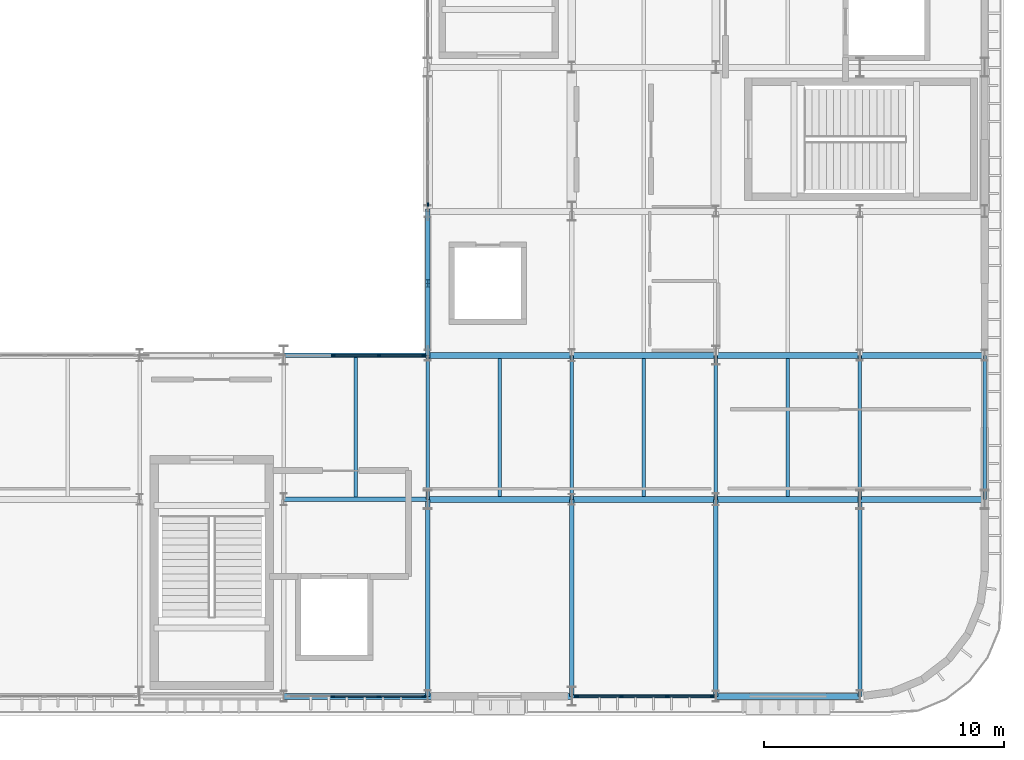
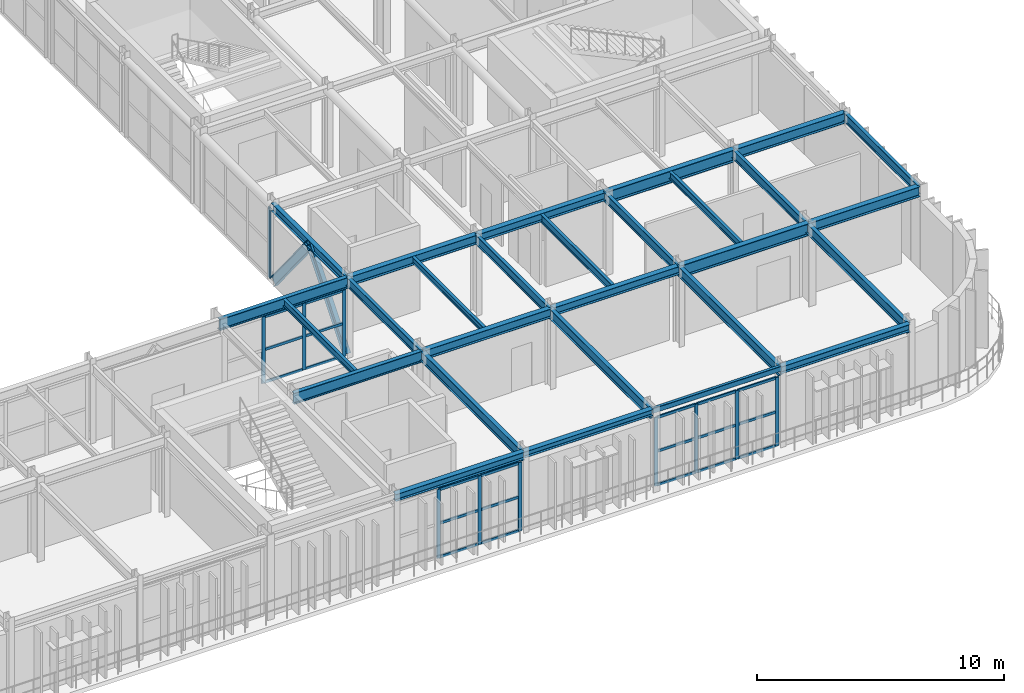
# One storey, part 44 of 83: 34 members, 28 beams, 4 elements without a shape of their own.
"""IFC4 building model written with IfcOpenShell, lengths in metres."""

import ifcopenshell
import ifcopenshell.guid

model = None  # the IFC model being written
_history = None  # IfcOwnerHistory: only IFC2X3 demands one
_inside = {}  # id of a spatial element -> (the spatial element, [elements in it])
_under = {}  # id of a project, library or spatial element -> (it, [spatial elements below it])
_declared = {}  # id of a project -> (the project, [libraries it declares])
_typed = {}  # id of a type object -> (the type object, [elements of that type])
_made_of = {}  # id of a material, layer set ... -> (it, [elements and type objects made of it])


def new_model(schema):
    """Start an empty IFC model of exactly this schema.

    Asked for "IFC4X3", IfcOpenShell would pick the latest addendum, in which some entities
    have other attributes; the version numbers below select the first issue.
    IFC2X3 requires an IfcOwnerHistory on every rooted entity: one is made here for all.
    """
    global model, _history
    if schema == "IFC4X3":
        model = ifcopenshell.file(schema_version=(4, 3, 0, 0))
    else:
        model = ifcopenshell.file(schema=schema)
    _inside.clear()
    _under.clear()
    _declared.clear()
    _typed.clear()
    _made_of.clear()
    _history = None
    if model.schema == "IFC2X3":
        org = make("IfcOrganization", Name="unknown")
        user = make(
            "IfcPersonAndOrganization",
            ThePerson=make("IfcPerson", FamilyName="unknown"),
            TheOrganization=org,
        )
        app = make(
            "IfcApplication",
            ApplicationDeveloper=org,
            Version="unknown",
            ApplicationFullName="unknown",
            ApplicationIdentifier="unknown",
        )
        _history = make(
            "IfcOwnerHistory",
            OwningUser=user,
            OwningApplication=app,
            ChangeAction="ADDED",
            CreationDate=0,
        )
    return model


def make(cls, **values):
    """One entity of the class cls with the attributes given. An attribute that is None is left unset."""
    return model.create_entity(
        cls, **{name: value for name, value in values.items() if value is not None}
    )


def rooted(cls, **values):
    """An entity with a GlobalId (a new one), such as an element, a storey or a relation."""
    return make(cls, GlobalId=ifcopenshell.guid.new(), OwnerHistory=_history, **values)


def si_unit(unit_type, name, prefix=None):
    """IfcSIUnit, for example si_unit("LENGTHUNIT", "METRE", prefix="MILLI")."""
    return make("IfcSIUnit", UnitType=unit_type, Prefix=prefix, Name=name)


def assignment(units):
    """IfcUnitAssignment: the units of a project."""
    return None if units is None else make("IfcUnitAssignment", Units=units)


def point(xyz):
    """IfcCartesianPoint."""
    return None if xyz is None else make("IfcCartesianPoint", Coordinates=xyz)


def direction(xyz):
    """IfcDirection."""
    return None if xyz is None else make("IfcDirection", DirectionRatios=xyz)


def frame(location, z_axis=None, x_axis=None):
    """IfcAxis2Placement3D, a coordinate frame: its origin and axes. An axis left out is left unset."""
    return make(
        "IfcAxis2Placement3D",
        Location=point(location),
        Axis=direction(z_axis),
        RefDirection=direction(x_axis),
    )


def frame_2d(location, x_axis=None):
    """IfcAxis2Placement2D, a coordinate frame in the plane: its origin and x axis."""
    return make(
        "IfcAxis2Placement2D", Location=point(location), RefDirection=direction(x_axis)
    )


def origin():
    """The frame at (0, 0, 0) with its axes left unset."""
    return frame((0.0, 0.0, 0.0))


def origin_2d():
    """The frame at (0, 0) in the plane with its x axis left unset."""
    return frame_2d((0.0, 0.0))


def place(relative_to, where):
    """IfcLocalPlacement: puts the frame where relative to a parent placement (None: the world)."""
    return make(
        "IfcLocalPlacement", PlacementRelTo=relative_to, RelativePlacement=where
    )


def context(
    kind, dimensions, precision=None, world=None, true_north=None, identifier=None
):
    """IfcGeometricRepresentationContext, for example the 3D "Model" context."""
    return make(
        "IfcGeometricRepresentationContext",
        ContextIdentifier=identifier,
        ContextType=kind,
        CoordinateSpaceDimension=dimensions,
        Precision=precision,
        WorldCoordinateSystem=world,
        TrueNorth=true_north,
    )


def subcontext(parent, identifier, kind, view, scale=None):
    """IfcGeometricRepresentationSubContext, for example "Body" below "Model"."""
    return make(
        "IfcGeometricRepresentationSubContext",
        ContextIdentifier=identifier,
        ContextType=kind,
        ParentContext=parent,
        TargetScale=scale,
        TargetView=view,
    )


def project(units=None, contexts=None):
    """IfcProject with its units and contexts."""
    return rooted(
        "IfcProject",
        Name="project",
        RepresentationContexts=contexts,
        UnitsInContext=assignment(units),
    )


def spatial(cls, under=None, at=None, **own):
    """A site, building, storey or space (cls), placed at a placement, below another one or the project."""
    s = rooted(cls, ObjectPlacement=at, **own)
    if under is not None:
        _under.setdefault(under.id(), (under, []))[1].append(s)
    return s


def profile(cls, at=None, kind="AREA", **sizes):
    """A parametric profile (cls). Its sizes go by their IFC names, for example OverallWidth=200.0."""
    return make(cls, ProfileType=kind, Position=at, **sizes)


def rectangle(**sizes):
    """IfcRectangleProfileDef."""
    return profile("IfcRectangleProfileDef", **sizes)


def hollow_rectangle(**sizes):
    """IfcRectangleHollowProfileDef."""
    return profile("IfcRectangleHollowProfileDef", **sizes)


def i_section(**sizes):
    """IfcIShapeProfileDef."""
    return profile("IfcIShapeProfileDef", **sizes)


def extrude(swept, where, along, depth):
    """IfcExtrudedAreaSolid: the profile swept, set in the frame where, extruded along a direction by depth."""
    return make(
        "IfcExtrudedAreaSolid",
        SweptArea=swept,
        Position=where,
        ExtrudedDirection=direction(along),
        Depth=depth,
    )


def shape(context_of_items, identifier, shape_type, items):
    """IfcShapeRepresentation: the items that make up one representation, for example the "Body"."""
    return make(
        "IfcShapeRepresentation",
        ContextOfItems=context_of_items,
        RepresentationIdentifier=identifier,
        RepresentationType=shape_type,
        Items=items,
    )


def material(Name=None, Category=None):
    """IfcMaterial."""
    return make("IfcMaterial", Name=Name, Category=Category)


def material_profile(
    of_material, cross_section, Name=None, Category=None, Priority=None
):
    """IfcMaterialProfile: a cross section and its material."""
    return make(
        "IfcMaterialProfile",
        Name=Name,
        Material=of_material,
        Profile=cross_section,
        Priority=Priority,
        Category=Category,
    )


def profile_set(profiles, Name=None, composite=None):
    """IfcMaterialProfileSet."""
    return make(
        "IfcMaterialProfileSet",
        Name=Name,
        MaterialProfiles=profiles,
        CompositeProfile=composite,
    )


def made_of(thing, what):
    """Note that an element or type object is made of a material, layer set ...; save() writes the relation."""
    if what is not None:
        _made_of.setdefault(what.id(), (what, []))[1].append(thing)
    return thing


def type_object(cls, material=None, **own):
    """A type object (cls), such as IfcWallType, which elements share."""
    return made_of(rooted(cls, **own), material)


def element(
    cls,
    number,
    at=None,
    inside=None,
    cuts=None,
    type_object=None,
    material=None,
    context=None,
    identifier="Body",
    shape_type=None,
    held_by="IfcProductDefinitionShape",
    body=None,
    shapes=None,
    **own,
):
    """One element of the class cls, such as IfcWall. Its Tag is "e" and its number.

    at: its placement. inside: the storey or other place that contains it. cuts: it is an
    opening in that element (IfcRelVoidsElement). A single representation is given by context,
    identifier, shape_type and body (its items); several are given by shapes. held_by: the class
    of the entity that holds the representations. save() writes the other relations.
    """
    e = rooted(cls, Tag="e%d" % number, ObjectPlacement=at, **own)
    if body is not None:
        shapes = [shape(context, identifier, shape_type, body)]
    if shapes is not None:
        e.Representation = make(held_by, Representations=shapes)
    if inside is not None:
        _inside.setdefault(inside.id(), (inside, []))[1].append(e)
    if cuts is not None:
        rooted(
            "IfcRelVoidsElement", RelatingBuildingElement=cuts, RelatedOpeningElement=e
        )
    if type_object is not None:
        _typed.setdefault(type_object.id(), (type_object, []))[1].append(e)
    return made_of(e, material)


def aggregate(whole, parts):
    """IfcRelAggregates: a whole, such as a stair, and the parts it consists of."""
    return rooted("IfcRelAggregates", RelatingObject=whole, RelatedObjects=parts)


def save(model, path):
    """Write the relations noted so far, then the file.

    IfcRelAggregates (storeys below a building ...), IfcRelContainedInSpatialStructure (elements
    in a storey), IfcRelDefinesByType, IfcRelAssociatesMaterial and IfcRelDeclares: one each for
    every whole, place, type object, material and project.
    """
    for whole, parts in _under.values():
        aggregate(whole, parts)
    for where, things in _inside.values():
        rooted(
            "IfcRelContainedInSpatialStructure",
            RelatedElements=things,
            RelatingStructure=where,
        )
    for kind, things in _typed.values():
        rooted("IfcRelDefinesByType", RelatedObjects=things, RelatingType=kind)
    for what, things in _made_of.values():
        rooted("IfcRelAssociatesMaterial", RelatedObjects=things, RelatingMaterial=what)
    for by, libraries in _declared.values():
        rooted("IfcRelDeclares", RelatingContext=by, RelatedDefinitions=libraries)
    model.write(path)


model = new_model("IFC4")

# Units and contexts
model_context = context("Model", 3, precision=1e-05, world=origin(), true_north=direction((0.0, 1.0)))
body_context = subcontext(model_context, "Body", "Model", "MODEL_VIEW")
ifc_project = project(units=[si_unit("LENGTHUNIT", "METRE"), si_unit("AREAUNIT", "SQUARE_METRE"), si_unit("VOLUMEUNIT", "CUBIC_METRE"), si_unit("PLANEANGLEUNIT", "RADIAN"), si_unit("MASSUNIT", "GRAM", prefix="KILO")], contexts=[model_context])

# Site, building, storey
site_placement = place(None, origin())
site = spatial("IfcSite", under=ifc_project, at=site_placement, CompositionType="ELEMENT")
building_placement = place(site_placement, origin())
building = spatial("IfcBuilding", under=site, at=building_placement, Name="Varnakota Square Police Headquarters", CompositionType="ELEMENT")
storey_placement = place(building_placement, frame((0.0, 0.0, 18.0)))
storey = spatial("IfcBuildingStorey", under=building, at=storey_placement, Name="L04", CompositionType="ELEMENT", Elevation=18.0)

# Beams
ifc_material_1 = material(Name="Steel IS 2062 Grade 350", Category="steel")
ifc_material_profile_1 = material_profile(ifc_material_1, hollow_rectangle(XDim=0.14990234375, YDim=0.25, WallThickness=0.010009765625, InnerFilletRadius=0.010009765625, OuterFilletRadius=0.02001953125, at=origin_2d()), Name="RHS 250x150x10")
ifc_profile_set_1 = profile_set([ifc_material_profile_1], Name="Steel IS 2062 Grade 350")
beam_type_1 = type_object("IfcBeamType", Name="BM-CBEAM-RHS250", PredefinedType="BEAM", material=ifc_profile_set_1)
beam_1_placement = place(storey_placement, frame((144.0, 0.800048828125, 3.77490234375), z_axis=(1.0, 0.0, 0.0), x_axis=(0.0, 1.0, 0.0)))
element("IfcBeam", 1, at=beam_1_placement, inside=storey, type_object=beam_type_1, Name="BMG-L04-2848", PredefinedType="BEAM", context=body_context, shape_type="SweptSolid", body=[
    extrude(hollow_rectangle(XDim=0.14990234375, YDim=0.25, WallThickness=0.010009765625, InnerFilletRadius=0.010009765625, OuterFilletRadius=0.02001953125, at=origin_2d()), origin(), (0.0, 0.0, 1.0), 6.0),
])
ifc_material_profile_2 = material_profile(ifc_material_1, i_section(OverallWidth=0.25, OverallDepth=0.300048828125, WebThickness=0.009521484375, FlangeThickness=0.010498046875, FilletRadius=0.011962890625, at=origin_2d()), Name="ISHB 300")
ifc_profile_set_2 = profile_set([ifc_material_profile_2], Name="Steel IS 2062 Grade 350")
beam_type_2 = type_object("IfcBeamType", Name="BM-ISHB300", PredefinedType="BEAM", material=ifc_profile_set_2)
beam_2_placement = place(storey_placement, frame((138.0, 0.800048828125, 3.75), z_axis=(1.0, 0.0, 0.0), x_axis=(0.0, 1.0, 0.0)))
element("IfcBeam", 2, at=beam_2_placement, inside=storey, type_object=beam_type_2, Name="BMG-L04-2847", PredefinedType="BEAM", context=body_context, shape_type="SweptSolid", body=[
    extrude(i_section(OverallWidth=0.25, OverallDepth=0.300048828125, WebThickness=0.009521484375, FlangeThickness=0.010498046875, FilletRadius=0.011962890625, at=origin_2d()), origin(), (0.0, 0.0, 1.0), 6.0),
])
ifc_material_profile_3 = material_profile(ifc_material_1, i_section(OverallWidth=0.25, OverallDepth=0.35009765625, WebThickness=0.010009765625, FlangeThickness=0.01171875, FilletRadius=0.011962890625, at=origin_2d()), Name="ISHB 350")
ifc_profile_set_3 = profile_set([ifc_material_profile_3], Name="Steel IS 2062 Grade 350")
beam_type_3 = type_object("IfcBeamType", Name="BM-ISHB350", PredefinedType="BEAM", material=ifc_profile_set_3)
for number, where, z_axis, x_axis, name in (
    (3, (132.0, 0.800048828125, 3.72509765625), (1.0, 0.0, 0.0), (0.0, 1.0, 0.0), "BMG-L04-2846"),
    (4, (150.0, 0.800048828125, 3.72509765625), (1.0, 0.0, 0.0), (0.0, 1.0, 0.0), "BMG-L04-2849"),
):
    element("IfcBeam", number, at=place(storey_placement, frame(where, z_axis=z_axis, x_axis=x_axis)), inside=storey, type_object=beam_type_3, Name=name, PredefinedType="BEAM", context=body_context, shape_type="SweptSolid", body=[
        extrude(i_section(OverallWidth=0.25, OverallDepth=0.35009765625, WebThickness=0.010009765625, FlangeThickness=0.01171875, FilletRadius=0.011962890625, at=origin_2d()), origin(), (0.0, 0.0, 1.0), 6.0),
    ])
ifc_material_profile_4 = material_profile(ifc_material_1, i_section(OverallWidth=0.25, OverallDepth=0.39990234375, WebThickness=0.010498046875, FlangeThickness=0.0126953125, FilletRadius=0.013916015625, at=origin_2d()), Name="ISHB 400")
ifc_profile_set_4 = profile_set([ifc_material_profile_4], Name="Steel IS 2062 Grade 350")
beam_type_4 = type_object("IfcBeamType", Name="BM-ISHB400", PredefinedType="BEAM", material=ifc_profile_set_4)
for number, where, z_axis, x_axis, name in (
    (5, (144.0, 9.0, 3.699951171875), (1.0, 0.0, 0.0), (0.0, 1.0, 0.0), "BMG-L04-2855"),
    (6, (144.0, 15.0, 3.699951171875), (1.0, 0.0, 0.0), (0.0, 1.0, 0.0), "BMG-L04-2864"),
):
    element("IfcBeam", number, at=place(storey_placement, frame(where, z_axis=z_axis, x_axis=x_axis)), inside=storey, type_object=beam_type_4, Name=name, PredefinedType="BEAM", context=body_context, shape_type="SweptSolid", body=[
        extrude(i_section(OverallWidth=0.25, OverallDepth=0.39990234375, WebThickness=0.010498046875, FlangeThickness=0.0126953125, FilletRadius=0.013916015625, at=origin_2d()), origin(), (0.0, 0.0, 1.0), 6.0),
    ])
ifc_material_profile_5 = material_profile(ifc_material_1, i_section(OverallWidth=0.25, OverallDepth=0.449951171875, WebThickness=0.01123046875, FlangeThickness=0.013671875, FilletRadius=0.014892578125, at=origin_2d()), Name="ISHB 450")
ifc_profile_set_5 = profile_set([ifc_material_profile_5], Name="Steel IS 2062 Grade 350")
beam_type_5 = type_object("IfcBeamType", Name="BM-ISHB450", PredefinedType="BEAM", material=ifc_profile_set_5)
for number, where, z_axis, x_axis, name in (
    (7, (138.0, 9.0, 3.675048828125), (1.0, 0.0, 0.0), (0.0, 1.0, 0.0), "BMG-L04-2854"),
    (8, (138.0, 15.0, 3.675048828125), (1.0, 0.0, 0.0), (0.0, 1.0, 0.0), "BMG-L04-2863"),
):
    element("IfcBeam", number, at=place(storey_placement, frame(where, z_axis=z_axis, x_axis=x_axis)), inside=storey, type_object=beam_type_5, Name=name, PredefinedType="BEAM", context=body_context, shape_type="SweptSolid", body=[
        extrude(i_section(OverallWidth=0.25, OverallDepth=0.449951171875, WebThickness=0.01123046875, FlangeThickness=0.013671875, FilletRadius=0.014892578125, at=origin_2d()), origin(), (0.0, 0.0, 1.0), 6.0),
    ])
ifc_material_profile_6 = material_profile(ifc_material_1, i_section(OverallWidth=0.139892578125, OverallDepth=0.300048828125, WebThickness=0.0078125, FlangeThickness=0.01318359375, FilletRadius=0.013916015625, at=origin_2d()), Name="ISMB 300")
ifc_profile_set_6 = profile_set([ifc_material_profile_6], Name="Steel IS 2062 Grade 350")
beam_type_6 = type_object("IfcBeamType", Name="BM-ISMB300", PredefinedType="JOIST", material=ifc_profile_set_6)
beam_3_placement = place(storey_placement, frame((141.0, 9.123046875, 3.75), z_axis=(0.0, 1.0, 0.0), x_axis=(-1.0, 0.0, 0.0)))
element("IfcBeam", 9, at=beam_3_placement, inside=storey, type_object=beam_type_6, Name="BMG-L04-3059", PredefinedType="JOIST", context=body_context, shape_type="SweptSolid", body=[
    extrude(i_section(OverallWidth=0.139892578125, OverallDepth=0.300048828125, WebThickness=0.0078125, FlangeThickness=0.01318359375, FilletRadius=0.013916015625, at=origin_2d()), origin(), (0.0, 0.0, 1.0), 5.75390625),
])
ifc_material_profile_7 = material_profile(ifc_material_1, i_section(OverallWidth=0.139892578125, OverallDepth=0.35009765625, WebThickness=0.008056640625, FlangeThickness=0.01416015625, FilletRadius=0.013916015625, at=origin_2d()), Name="ISMB 350")
ifc_profile_set_7 = profile_set([ifc_material_profile_7], Name="Steel IS 2062 Grade 350")
beam_type_7 = type_object("IfcBeamType", Name="BM-ISMB350", PredefinedType="JOIST", material=ifc_profile_set_7)
beam_4_placement = place(storey_placement, frame((135.0, 9.093017578125, 3.72509765625), z_axis=(0.0, 1.0, 0.0), x_axis=(-1.0, 0.0, 0.0)))
element("IfcBeam", 10, at=beam_4_placement, inside=storey, type_object=beam_type_7, Name="BMG-L04-3058", PredefinedType="JOIST", context=body_context, shape_type="SweptSolid", body=[
    extrude(i_section(OverallWidth=0.139892578125, OverallDepth=0.35009765625, WebThickness=0.008056640625, FlangeThickness=0.01416015625, FilletRadius=0.013916015625, at=origin_2d()), origin(), (0.0, 0.0, 1.0), 5.81396484375),
])
beam_5_placement = place(storey_placement, frame((153.0, 9.123046875, 3.72509765625), z_axis=(0.0, 1.0, 0.0), x_axis=(-1.0, 0.0, 0.0)))
element("IfcBeam", 11, at=beam_5_placement, inside=storey, type_object=beam_type_7, Name="BMG-L04-3068", PredefinedType="JOIST", context=body_context, shape_type="SweptSolid", body=[
    extrude(i_section(OverallWidth=0.139892578125, OverallDepth=0.35009765625, WebThickness=0.008056640625, FlangeThickness=0.01416015625, FilletRadius=0.013916015625, at=origin_2d()), origin(), (0.0, 0.0, 1.0), 5.75390625),
])
ifc_material_profile_8 = material_profile(ifc_material_1, i_section(OverallWidth=0.139892578125, OverallDepth=0.39990234375, WebThickness=0.0087890625, FlangeThickness=0.01611328125, FilletRadius=0.013916015625, at=origin_2d()), Name="ISMB 400")
ifc_profile_set_8 = profile_set([ifc_material_profile_8], Name="Steel IS 2062 Grade 350")
beam_type_8 = type_object("IfcBeamType", Name="BM-ISMB400", PredefinedType="JOIST", material=ifc_profile_set_8)
beam_6_placement = place(storey_placement, frame((147.0, 9.123046875, 3.699951171875), z_axis=(0.0, 1.0, 0.0), x_axis=(-1.0, 0.0, 0.0)))
element("IfcBeam", 12, at=beam_6_placement, inside=storey, type_object=beam_type_8, Name="BMG-L04-3062", PredefinedType="JOIST", context=body_context, shape_type="SweptSolid", body=[
    extrude(i_section(OverallWidth=0.139892578125, OverallDepth=0.39990234375, WebThickness=0.0087890625, FlangeThickness=0.01611328125, FilletRadius=0.013916015625, at=origin_2d()), origin(), (0.0, 0.0, 1.0), 5.75390625),
])
ifc_material_profile_9 = material_profile(ifc_material_1, i_section(OverallWidth=0.14990234375, OverallDepth=0.449951171875, WebThickness=0.009521484375, FlangeThickness=0.017333984375, FilletRadius=0.014892578125, at=origin_2d()), Name="ISMB 450")
ifc_profile_set_9 = profile_set([ifc_material_profile_9], Name="Steel IS 2062 Grade 350")
beam_type_9 = type_object("IfcBeamType", Name="BM-ISMB450", PredefinedType="BEAM", material=ifc_profile_set_9)
for number, where, z_axis, x_axis, name in (
    (13, (138.0, 9.0, 3.675048828125), (0.0, 1.0, 0.0), (-1.0, 0.0, 0.0), "BMG-L04-2992"),
    (14, (144.0, 9.0, 3.675048828125), (0.0, 1.0, 0.0), (-1.0, 0.0, 0.0), "BMG-L04-2999"),
    (15, (150.0, 9.0, 3.675048828125), (0.0, 1.0, 0.0), (-1.0, 0.0, 0.0), "BMG-L04-3006"),
    (16, (156.0, 9.0, 3.675048828125), (0.0, 1.0, 0.0), (-1.0, 0.0, 0.0), "BMG-L04-3013"),
    (17, (161.199951171875, 9.0, 3.675048828125), (0.0, 1.0, 0.0), (-1.0, 0.0, 0.0), "BMG-L04-3017"),
):
    element("IfcBeam", number, at=place(storey_placement, frame(where, z_axis=z_axis, x_axis=x_axis)), inside=storey, type_object=beam_type_9, Name=name, PredefinedType="BEAM", context=body_context, shape_type="SweptSolid", body=[
        extrude(i_section(OverallWidth=0.14990234375, OverallDepth=0.449951171875, WebThickness=0.009521484375, FlangeThickness=0.017333984375, FilletRadius=0.014892578125, at=origin_2d()), origin(), (0.0, 0.0, 1.0), 6.0),
    ])
ifc_material_profile_10 = material_profile(ifc_material_1, i_section(OverallWidth=0.179931640625, OverallDepth=0.5, WebThickness=0.01025390625, FlangeThickness=0.01708984375, FilletRadius=0.01708984375, at=origin_2d()), Name="ISMB 500")
ifc_profile_set_10 = profile_set([ifc_material_profile_10], Name="Steel IS 2062 Grade 350")
beam_type_10 = type_object("IfcBeamType", Name="BM-ISMB500", PredefinedType="BEAM", material=ifc_profile_set_10)
for number, where, z_axis, x_axis, name in (
    (18, (138.0, 0.800048828125, 3.64990234375), (0.0, 1.0, 0.0), (-1.0, 0.0, 0.0), "BMG-L04-2991"),
    (19, (144.0, 0.800048828125, 3.64990234375), (0.0, 1.0, 0.0), (-1.0, 0.0, 0.0), "BMG-L04-2998"),
    (20, (150.0, 0.800048828125, 3.64990234375), (0.0, 1.0, 0.0), (-1.0, 0.0, 0.0), "BMG-L04-3005"),
    (21, (156.0, 0.800048828125, 3.64990234375), (0.0, 1.0, 0.0), (-1.0, 0.0, 0.0), "BMG-L04-3012"),
):
    element("IfcBeam", number, at=place(storey_placement, frame(where, z_axis=z_axis, x_axis=x_axis)), inside=storey, type_object=beam_type_10, Name=name, PredefinedType="BEAM", context=body_context, shape_type="SweptSolid", body=[
        extrude(i_section(OverallWidth=0.179931640625, OverallDepth=0.5, WebThickness=0.01025390625, FlangeThickness=0.01708984375, FilletRadius=0.01708984375, at=origin_2d()), origin(), (0.0, 0.0, 1.0), 8.199951171875),
    ])
ifc_material_profile_11 = material_profile(ifc_material_1, i_section(OverallWidth=0.18994140625, OverallDepth=0.550048828125, WebThickness=0.01123046875, FlangeThickness=0.019287109375, FilletRadius=0.01806640625, at=origin_2d()), Name="ISMB 550")
ifc_profile_set_11 = profile_set([ifc_material_profile_11], Name="Steel IS 2062 Grade 350")
beam_type_11 = type_object("IfcBeamType", Name="BM-ISMB550", PredefinedType="BEAM", material=ifc_profile_set_11)
for number, where, z_axis, x_axis, name in (
    (22, (132.0, 9.0, 3.625), (1.0, 0.0, 0.0), (0.0, 1.0, 0.0), "BMG-L04-2853"),
    (23, (132.0, 15.0, 3.625), (1.0, 0.0, 0.0), (0.0, 1.0, 0.0), "BMG-L04-2862"),
):
    element("IfcBeam", number, at=place(storey_placement, frame(where, z_axis=z_axis, x_axis=x_axis)), inside=storey, type_object=beam_type_11, Name=name, PredefinedType="BEAM", context=body_context, shape_type="SweptSolid", body=[
        extrude(i_section(OverallWidth=0.18994140625, OverallDepth=0.550048828125, WebThickness=0.01123046875, FlangeThickness=0.019287109375, FilletRadius=0.01806640625, at=origin_2d()), origin(), (0.0, 0.0, 1.0), 6.0),
    ])
ifc_material_profile_12 = material_profile(ifc_material_1, i_section(OverallWidth=0.199951171875, OverallDepth=0.39990234375, WebThickness=0.008544921875, FlangeThickness=0.012939453125, FilletRadius=0.012939453125, at=origin_2d()), Name="ISWB 400")
ifc_profile_set_12 = profile_set([ifc_material_profile_12], Name="Steel IS 2062 Grade 350")
beam_type_12 = type_object("IfcBeamType", Name="BM-ISWB400", PredefinedType="BEAM", material=ifc_profile_set_12)
beam_7_placement = place(storey_placement, frame((138.0, 15.0, 3.699951171875), z_axis=(0.0, 1.0, 0.0), x_axis=(-1.0, 0.0, 0.0)))
element("IfcBeam", 24, at=beam_7_placement, inside=storey, type_object=beam_type_12, Name="BMG-L04-2993", PredefinedType="BEAM", context=body_context, shape_type="SweptSolid", body=[
    extrude(i_section(OverallWidth=0.199951171875, OverallDepth=0.39990234375, WebThickness=0.008544921875, FlangeThickness=0.012939453125, FilletRadius=0.012939453125, at=origin_2d()), origin(), (0.0, 0.0, 1.0), 6.0),
])
ifc_material_profile_13 = material_profile(ifc_material_1, i_section(OverallWidth=0.25, OverallDepth=0.5, WebThickness=0.010009765625, FlangeThickness=0.0146484375, FilletRadius=0.014892578125, at=origin_2d()), Name="ISWB 500")
ifc_profile_set_13 = profile_set([ifc_material_profile_13], Name="Steel IS 2062 Grade 350")
beam_type_13 = type_object("IfcBeamType", Name="BM-ISWB500", PredefinedType="BEAM", material=ifc_profile_set_13)
for number, where, z_axis, x_axis, name in (
    (25, (156.0, 9.0, 3.64990234375), (1.0, 0.0, 0.0), (0.0, 1.0, 0.0), "BMG-L04-2857"),
    (26, (156.0, 15.0, 3.64990234375), (1.0, 0.0, 0.0), (0.0, 1.0, 0.0), "BMG-L04-2866"),
):
    element("IfcBeam", number, at=place(storey_placement, frame(where, z_axis=z_axis, x_axis=x_axis)), inside=storey, type_object=beam_type_13, Name=name, PredefinedType="BEAM", context=body_context, shape_type="SweptSolid", body=[
        extrude(i_section(OverallWidth=0.25, OverallDepth=0.5, WebThickness=0.010009765625, FlangeThickness=0.0146484375, FilletRadius=0.014892578125, at=origin_2d()), origin(), (0.0, 0.0, 1.0), 5.199951171875),
    ])
ifc_material_profile_14 = material_profile(ifc_material_1, i_section(OverallWidth=0.25, OverallDepth=0.60009765625, WebThickness=0.01171875, FlangeThickness=0.023681640625, FilletRadius=0.01708984375, at=origin_2d()), Name="ISWB 600")
ifc_profile_set_14 = profile_set([ifc_material_profile_14], Name="Steel IS 2062 Grade 350")
beam_type_14 = type_object("IfcBeamType", Name="BM-ISWB600", PredefinedType="BEAM", material=ifc_profile_set_14)
for number, where, z_axis, x_axis, name in (
    (27, (150.0, 9.0, 3.60009765625), (1.0, 0.0, 0.0), (0.0, 1.0, 0.0), "BMG-L04-2856"),
    (28, (150.0, 15.0, 3.60009765625), (1.0, 0.0, 0.0), (0.0, 1.0, 0.0), "BMG-L04-2865"),
):
    element("IfcBeam", number, at=place(storey_placement, frame(where, z_axis=z_axis, x_axis=x_axis)), inside=storey, type_object=beam_type_14, Name=name, PredefinedType="BEAM", context=body_context, shape_type="SweptSolid", body=[
        extrude(i_section(OverallWidth=0.25, OverallDepth=0.60009765625, WebThickness=0.01171875, FlangeThickness=0.023681640625, FilletRadius=0.01708984375, at=origin_2d()), origin(), (0.0, 0.0, 1.0), 6.0),
    ])

# Curtain wall, members
ifc_material_2 = material(Name="Anodised Aluminium Framing", Category="aluminium")
curtain_wall_type_1 = type_object("IfcCurtainWallType", Name="CW-SYS-C", PredefinedType="NOTDEFINED", material=ifc_material_2)
curtain_wall_1_placement = place(storey_placement, origin())
curtain_wall_1 = element("IfcCurtainWall", 29, at=curtain_wall_1_placement, inside=storey, type_object=curtain_wall_type_1, Name="Unitised curtain wall CWG-L04-089", PredefinedType="NOTDEFINED")
ifc_material_3 = material(Name="Anodised Aluminium 6063-T6", Category="aluminium")
ifc_material_profile_15 = material_profile(ifc_material_3, rectangle(XDim=0.06494140625, YDim=0.159912109375, at=origin_2d()), Name="ALU MULLION 65x160")
ifc_profile_set_15 = profile_set([ifc_material_profile_15], Name="Anodised Aluminium 6063-T6")
member_type_1 = type_object("IfcMemberType", Name="CWM-150", PredefinedType="MULLION", material=ifc_profile_set_15)
member_1_placement = place(storey_placement, frame((134.043212890625, 0.800048828125, 0.0), z_axis=(0.0, 0.0, 1.0), x_axis=(0.0, 1.0, 0.0)))
member_1 = element("IfcMember", 30, at=member_1_placement, type_object=member_type_1, Name="CWG-L04-089 mullion 2", PredefinedType="MULLION", context=body_context, shape_type="SweptSolid", body=[
    extrude(rectangle(XDim=0.06494140625, YDim=0.159912109375, at=origin_2d()), origin(), (0.0, 0.0, 1.0), 3.389892578125),
])
member_2_placement = place(storey_placement, frame((135.956787109375, 0.800048828125, 0.0), z_axis=(0.0, 0.0, 1.0), x_axis=(0.0, 1.0, 0.0)))
member_2 = element("IfcMember", 31, at=member_2_placement, type_object=member_type_1, Name="CWG-L04-089 mullion 3", PredefinedType="MULLION", context=body_context, shape_type="SweptSolid", body=[
    extrude(rectangle(XDim=0.06494140625, YDim=0.159912109375, at=origin_2d()), origin(), (0.0, 0.0, 1.0), 3.389892578125),
])
member_3_placement = place(storey_placement, frame((137.83740234375, 0.800048828125, 0.0), z_axis=(0.0, 0.0, 1.0), x_axis=(0.0, 1.0, 0.0)))
member_3 = element("IfcMember", 32, at=member_3_placement, type_object=member_type_1, Name="CWG-L04-089 mullion 4", PredefinedType="MULLION", context=body_context, shape_type="SweptSolid", body=[
    extrude(rectangle(XDim=0.06494140625, YDim=0.159912109375, at=origin_2d()), origin(), (0.0, 0.0, 1.0), 3.389892578125),
])

curtain_wall_2_placement = place(storey_placement, origin())
curtain_wall_2 = element("IfcCurtainWall", 33, at=curtain_wall_2_placement, inside=storey, type_object=curtain_wall_type_1, Name="Unitised curtain wall CWG-L04-090", PredefinedType="NOTDEFINED")
member_4_placement = place(storey_placement, frame((144.197509765625, 0.800048828125, 0.0), z_axis=(0.0, 0.0, 1.0), x_axis=(0.0, 1.0, 0.0)))
member_4 = element("IfcMember", 34, at=member_4_placement, type_object=member_type_1, Name="CWG-L04-090 mullion 1", PredefinedType="MULLION", context=body_context, shape_type="SweptSolid", body=[
    extrude(rectangle(XDim=0.06494140625, YDim=0.159912109375, at=origin_2d()), origin(), (0.0, 0.0, 1.0), 3.389892578125),
])
member_5_placement = place(storey_placement, frame((146.066650390625, 0.800048828125, 0.0), z_axis=(0.0, 0.0, 1.0), x_axis=(0.0, 1.0, 0.0)))
member_5 = element("IfcMember", 35, at=member_5_placement, type_object=member_type_1, Name="CWG-L04-090 mullion 2", PredefinedType="MULLION", context=body_context, shape_type="SweptSolid", body=[
    extrude(rectangle(XDim=0.06494140625, YDim=0.159912109375, at=origin_2d()), origin(), (0.0, 0.0, 1.0), 3.389892578125),
])
member_6_placement = place(storey_placement, frame((147.96826171875, 0.800048828125, 0.0), z_axis=(0.0, 0.0, 1.0), x_axis=(0.0, 1.0, 0.0)))
member_6 = element("IfcMember", 36, at=member_6_placement, type_object=member_type_1, Name="CWG-L04-090 mullion 3", PredefinedType="MULLION", context=body_context, shape_type="SweptSolid", body=[
    extrude(rectangle(XDim=0.06494140625, YDim=0.159912109375, at=origin_2d()), origin(), (0.0, 0.0, 1.0), 3.389892578125),
])
member_7_placement = place(storey_placement, frame((149.83740234375, 0.800048828125, 0.0), z_axis=(0.0, 0.0, 1.0), x_axis=(0.0, 1.0, 0.0)))
member_7 = element("IfcMember", 37, at=member_7_placement, type_object=member_type_1, Name="CWG-L04-090 mullion 4", PredefinedType="MULLION", context=body_context, shape_type="SweptSolid", body=[
    extrude(rectangle(XDim=0.06494140625, YDim=0.159912109375, at=origin_2d()), origin(), (0.0, 0.0, 1.0), 3.389892578125),
])

curtain_wall_type_2 = type_object("IfcCurtainWallType", Name="CW-SYS-D", PredefinedType="NOTDEFINED", material=ifc_material_2)
curtain_wall_3_placement = place(storey_placement, origin())
curtain_wall_3 = element("IfcCurtainWall", 38, at=curtain_wall_3_placement, inside=storey, type_object=curtain_wall_type_2, Name="Unitised curtain wall CWG-L04-094", PredefinedType="NOTDEFINED")
member_8_placement = place(storey_placement, frame((134.066650390625, 15.0, 0.0), z_axis=(0.0, 0.0, 1.0), x_axis=(0.0, 1.0, 0.0)))
member_8 = element("IfcMember", 39, at=member_8_placement, type_object=member_type_1, Name="CWG-L04-094 mullion 2", PredefinedType="MULLION", context=body_context, shape_type="SweptSolid", body=[
    extrude(rectangle(XDim=0.06494140625, YDim=0.159912109375, at=origin_2d()), origin(), (0.0, 0.0, 1.0), 3.2900390625),
])
member_9_placement = place(storey_placement, frame((135.96826171875, 15.0, 0.0), z_axis=(0.0, 0.0, 1.0), x_axis=(0.0, 1.0, 0.0)))
member_9 = element("IfcMember", 40, at=member_9_placement, type_object=member_type_1, Name="CWG-L04-094 mullion 3", PredefinedType="MULLION", context=body_context, shape_type="SweptSolid", body=[
    extrude(rectangle(XDim=0.06494140625, YDim=0.159912109375, at=origin_2d()), origin(), (0.0, 0.0, 1.0), 3.2900390625),
])
member_10_placement = place(storey_placement, frame((137.83740234375, 15.0, 0.0), z_axis=(0.0, 0.0, 1.0), x_axis=(0.0, 1.0, 0.0)))
member_10 = element("IfcMember", 41, at=member_10_placement, type_object=member_type_1, Name="CWG-L04-094 mullion 4", PredefinedType="MULLION", context=body_context, shape_type="SweptSolid", body=[
    extrude(rectangle(XDim=0.06494140625, YDim=0.159912109375, at=origin_2d()), origin(), (0.0, 0.0, 1.0), 3.2900390625),
])

# Curtain wall, member
curtain_wall_type_3 = type_object("IfcCurtainWallType", Name="CW-SYS-E", PredefinedType="NOTDEFINED", material=ifc_material_2)
curtain_wall_4_placement = place(storey_placement, origin())
curtain_wall_4 = element("IfcCurtainWall", 42, at=curtain_wall_4_placement, inside=storey, type_object=curtain_wall_type_3, Name="Unitised curtain wall CWG-L04-095", PredefinedType="NOTDEFINED")
member_11_placement = place(storey_placement, frame((138.0, 21.28759765625, 0.0), z_axis=(0.0, 0.0, 1.0), x_axis=(-1.0, 0.0, 0.0)))
member_11 = element("IfcMember", 43, at=member_11_placement, type_object=member_type_1, Name="CWG-L04-095 mullion 1", PredefinedType="MULLION", context=body_context, shape_type="SweptSolid", body=[
    extrude(rectangle(XDim=0.06494140625, YDim=0.159912109375, at=origin_2d()), origin(), (0.0, 0.0, 1.0), 3.483642578125),
])
aggregate(curtain_wall_4, [member_11])

# Member
ifc_material_profile_16 = material_profile(ifc_material_3, rectangle(XDim=0.06494140625, YDim=0.1298828125, at=origin_2d()), Name="ALU TRANSOM 65x130")
ifc_profile_set_16 = profile_set([ifc_material_profile_16], Name="Anodised Aluminium 6063-T6")
member_type_2 = type_object("IfcMemberType", Name="CWT-120", PredefinedType="USERDEFINED", material=ifc_profile_set_16)
member_12_placement = place(storey_placement, frame((134.075927734375, 0.800048828125, 0.032470703125), z_axis=(1.0, 0.0, 0.0), x_axis=(0.0, 1.0, 0.0)))
member_12 = element("IfcMember", 44, at=member_12_placement, type_object=member_type_2, Name="CWG-L04-089 transom 2.1", ObjectType="TRANSOM", PredefinedType="USERDEFINED", context=body_context, shape_type="SweptSolid", body=[
    extrude(rectangle(XDim=0.06494140625, YDim=0.1298828125, at=origin_2d()), origin(), (0.0, 0.0, 1.0), 1.84814453125),
])

member_13_placement = place(storey_placement, frame((134.075927734375, 0.800048828125, 1.695068359375), z_axis=(1.0, 0.0, 0.0), x_axis=(0.0, 1.0, 0.0)))
member_13 = element("IfcMember", 45, at=member_13_placement, type_object=member_type_2, Name="CWG-L04-089 transom 2.2", ObjectType="TRANSOM", PredefinedType="USERDEFINED", context=body_context, shape_type="SweptSolid", body=[
    extrude(rectangle(XDim=0.06494140625, YDim=0.1298828125, at=origin_2d()), origin(), (0.0, 0.0, 1.0), 1.84814453125),
])

member_14_placement = place(storey_placement, frame((134.075927734375, 0.800048828125, 3.357421875), z_axis=(1.0, 0.0, 0.0), x_axis=(0.0, 1.0, 0.0)))
member_14 = element("IfcMember", 46, at=member_14_placement, type_object=member_type_2, Name="CWG-L04-089 transom 2.3", ObjectType="TRANSOM", PredefinedType="USERDEFINED", context=body_context, shape_type="SweptSolid", body=[
    extrude(rectangle(XDim=0.06494140625, YDim=0.1298828125, at=origin_2d()), origin(), (0.0, 0.0, 1.0), 1.84814453125),
])

member_15_placement = place(storey_placement, frame((135.9892578125, 0.800048828125, 0.032470703125), z_axis=(1.0, 0.0, 0.0), x_axis=(0.0, 1.0, 0.0)))
member_15 = element("IfcMember", 47, at=member_15_placement, type_object=member_type_2, Name="CWG-L04-089 transom 3.1", ObjectType="TRANSOM", PredefinedType="USERDEFINED", context=body_context, shape_type="SweptSolid", body=[
    extrude(rectangle(XDim=0.06494140625, YDim=0.1298828125, at=origin_2d()), origin(), (0.0, 0.0, 1.0), 1.815673828125),
])

member_16_placement = place(storey_placement, frame((135.9892578125, 0.800048828125, 1.695068359375), z_axis=(1.0, 0.0, 0.0), x_axis=(0.0, 1.0, 0.0)))
member_16 = element("IfcMember", 48, at=member_16_placement, type_object=member_type_2, Name="CWG-L04-089 transom 3.2", ObjectType="TRANSOM", PredefinedType="USERDEFINED", context=body_context, shape_type="SweptSolid", body=[
    extrude(rectangle(XDim=0.06494140625, YDim=0.1298828125, at=origin_2d()), origin(), (0.0, 0.0, 1.0), 1.815673828125),
])

member_17_placement = place(storey_placement, frame((135.9892578125, 0.800048828125, 3.357421875), z_axis=(1.0, 0.0, 0.0), x_axis=(0.0, 1.0, 0.0)))
member_17 = element("IfcMember", 49, at=member_17_placement, type_object=member_type_2, Name="CWG-L04-089 transom 3.3", ObjectType="TRANSOM", PredefinedType="USERDEFINED", context=body_context, shape_type="SweptSolid", body=[
    extrude(rectangle(XDim=0.06494140625, YDim=0.1298828125, at=origin_2d()), origin(), (0.0, 0.0, 1.0), 1.815673828125),
])

aggregate(curtain_wall_1, [member_1, member_2, member_3, member_12, member_13, member_14, member_15, member_16, member_17])

member_18_placement = place(storey_placement, frame((144.22998046875, 0.800048828125, 0.032470703125), z_axis=(1.0, 0.0, 0.0), x_axis=(0.0, 1.0, 0.0)))
member_18 = element("IfcMember", 50, at=member_18_placement, type_object=member_type_2, Name="CWG-L04-090 transom 1.1", ObjectType="TRANSOM", PredefinedType="USERDEFINED", context=body_context, shape_type="SweptSolid", body=[
    extrude(rectangle(XDim=0.06494140625, YDim=0.1298828125, at=origin_2d()), origin(), (0.0, 0.0, 1.0), 1.80419921875),
])

member_19_placement = place(storey_placement, frame((144.22998046875, 0.800048828125, 1.695068359375), z_axis=(1.0, 0.0, 0.0), x_axis=(0.0, 1.0, 0.0)))
member_19 = element("IfcMember", 51, at=member_19_placement, type_object=member_type_2, Name="CWG-L04-090 transom 1.2", ObjectType="TRANSOM", PredefinedType="USERDEFINED", context=body_context, shape_type="SweptSolid", body=[
    extrude(rectangle(XDim=0.06494140625, YDim=0.1298828125, at=origin_2d()), origin(), (0.0, 0.0, 1.0), 1.80419921875),
])

member_20_placement = place(storey_placement, frame((144.22998046875, 0.800048828125, 3.357421875), z_axis=(1.0, 0.0, 0.0), x_axis=(0.0, 1.0, 0.0)))
member_20 = element("IfcMember", 52, at=member_20_placement, type_object=member_type_2, Name="CWG-L04-090 transom 1.3", ObjectType="TRANSOM", PredefinedType="USERDEFINED", context=body_context, shape_type="SweptSolid", body=[
    extrude(rectangle(XDim=0.06494140625, YDim=0.1298828125, at=origin_2d()), origin(), (0.0, 0.0, 1.0), 1.80419921875),
])

member_21_placement = place(storey_placement, frame((146.09912109375, 0.800048828125, 0.032470703125), z_axis=(1.0, 0.0, 0.0), x_axis=(0.0, 1.0, 0.0)))
member_21 = element("IfcMember", 53, at=member_21_placement, type_object=member_type_2, Name="CWG-L04-090 transom 2.1", ObjectType="TRANSOM", PredefinedType="USERDEFINED", context=body_context, shape_type="SweptSolid", body=[
    extrude(rectangle(XDim=0.06494140625, YDim=0.1298828125, at=origin_2d()), origin(), (0.0, 0.0, 1.0), 1.836669921875),
])

member_22_placement = place(storey_placement, frame((146.09912109375, 0.800048828125, 1.695068359375), z_axis=(1.0, 0.0, 0.0), x_axis=(0.0, 1.0, 0.0)))
member_22 = element("IfcMember", 54, at=member_22_placement, type_object=member_type_2, Name="CWG-L04-090 transom 2.2", ObjectType="TRANSOM", PredefinedType="USERDEFINED", context=body_context, shape_type="SweptSolid", body=[
    extrude(rectangle(XDim=0.06494140625, YDim=0.1298828125, at=origin_2d()), origin(), (0.0, 0.0, 1.0), 1.836669921875),
])

member_23_placement = place(storey_placement, frame((146.09912109375, 0.800048828125, 3.357421875), z_axis=(1.0, 0.0, 0.0), x_axis=(0.0, 1.0, 0.0)))
member_23 = element("IfcMember", 55, at=member_23_placement, type_object=member_type_2, Name="CWG-L04-090 transom 2.3", ObjectType="TRANSOM", PredefinedType="USERDEFINED", context=body_context, shape_type="SweptSolid", body=[
    extrude(rectangle(XDim=0.06494140625, YDim=0.1298828125, at=origin_2d()), origin(), (0.0, 0.0, 1.0), 1.836669921875),
])

member_24_placement = place(storey_placement, frame((148.000732421875, 0.800048828125, 0.032470703125), z_axis=(1.0, 0.0, 0.0), x_axis=(0.0, 1.0, 0.0)))
member_24 = element("IfcMember", 56, at=member_24_placement, type_object=member_type_2, Name="CWG-L04-090 transom 3.1", ObjectType="TRANSOM", PredefinedType="USERDEFINED", context=body_context, shape_type="SweptSolid", body=[
    extrude(rectangle(XDim=0.06494140625, YDim=0.1298828125, at=origin_2d()), origin(), (0.0, 0.0, 1.0), 1.80419921875),
])

member_25_placement = place(storey_placement, frame((148.000732421875, 0.800048828125, 1.695068359375), z_axis=(1.0, 0.0, 0.0), x_axis=(0.0, 1.0, 0.0)))
member_25 = element("IfcMember", 57, at=member_25_placement, type_object=member_type_2, Name="CWG-L04-090 transom 3.2", ObjectType="TRANSOM", PredefinedType="USERDEFINED", context=body_context, shape_type="SweptSolid", body=[
    extrude(rectangle(XDim=0.06494140625, YDim=0.1298828125, at=origin_2d()), origin(), (0.0, 0.0, 1.0), 1.80419921875),
])

member_26_placement = place(storey_placement, frame((148.000732421875, 0.800048828125, 3.357421875), z_axis=(1.0, 0.0, 0.0), x_axis=(0.0, 1.0, 0.0)))
member_26 = element("IfcMember", 58, at=member_26_placement, type_object=member_type_2, Name="CWG-L04-090 transom 3.3", ObjectType="TRANSOM", PredefinedType="USERDEFINED", context=body_context, shape_type="SweptSolid", body=[
    extrude(rectangle(XDim=0.06494140625, YDim=0.1298828125, at=origin_2d()), origin(), (0.0, 0.0, 1.0), 1.80419921875),
])

aggregate(curtain_wall_2, [member_4, member_5, member_6, member_7, member_18, member_19, member_20, member_21, member_22, member_23, member_24, member_25, member_26])

member_27_placement = place(storey_placement, frame((134.09912109375, 15.0, 0.032470703125), z_axis=(1.0, 0.0, 0.0), x_axis=(0.0, 1.0, 0.0)))
member_27 = element("IfcMember", 59, at=member_27_placement, type_object=member_type_2, Name="CWG-L04-094 transom 2.1", ObjectType="TRANSOM", PredefinedType="USERDEFINED", context=body_context, shape_type="SweptSolid", body=[
    extrude(rectangle(XDim=0.06494140625, YDim=0.1298828125, at=origin_2d()), origin(), (0.0, 0.0, 1.0), 1.836669921875),
])

member_28_placement = place(storey_placement, frame((134.09912109375, 15.0, 1.64501953125), z_axis=(1.0, 0.0, 0.0), x_axis=(0.0, 1.0, 0.0)))
member_28 = element("IfcMember", 60, at=member_28_placement, type_object=member_type_2, Name="CWG-L04-094 transom 2.2", ObjectType="TRANSOM", PredefinedType="USERDEFINED", context=body_context, shape_type="SweptSolid", body=[
    extrude(rectangle(XDim=0.06494140625, YDim=0.1298828125, at=origin_2d()), origin(), (0.0, 0.0, 1.0), 1.836669921875),
])

member_29_placement = place(storey_placement, frame((134.09912109375, 15.0, 3.257568359375), z_axis=(1.0, 0.0, 0.0), x_axis=(0.0, 1.0, 0.0)))
member_29 = element("IfcMember", 61, at=member_29_placement, type_object=member_type_2, Name="CWG-L04-094 transom 2.3", ObjectType="TRANSOM", PredefinedType="USERDEFINED", context=body_context, shape_type="SweptSolid", body=[
    extrude(rectangle(XDim=0.06494140625, YDim=0.1298828125, at=origin_2d()), origin(), (0.0, 0.0, 1.0), 1.836669921875),
])

member_30_placement = place(storey_placement, frame((136.000732421875, 15.0, 0.032470703125), z_axis=(1.0, 0.0, 0.0), x_axis=(0.0, 1.0, 0.0)))
member_30 = element("IfcMember", 62, at=member_30_placement, type_object=member_type_2, Name="CWG-L04-094 transom 3.1", ObjectType="TRANSOM", PredefinedType="USERDEFINED", context=body_context, shape_type="SweptSolid", body=[
    extrude(rectangle(XDim=0.06494140625, YDim=0.1298828125, at=origin_2d()), origin(), (0.0, 0.0, 1.0), 1.80419921875),
])

member_31_placement = place(storey_placement, frame((136.000732421875, 15.0, 1.64501953125), z_axis=(1.0, 0.0, 0.0), x_axis=(0.0, 1.0, 0.0)))
member_31 = element("IfcMember", 63, at=member_31_placement, type_object=member_type_2, Name="CWG-L04-094 transom 3.2", ObjectType="TRANSOM", PredefinedType="USERDEFINED", context=body_context, shape_type="SweptSolid", body=[
    extrude(rectangle(XDim=0.06494140625, YDim=0.1298828125, at=origin_2d()), origin(), (0.0, 0.0, 1.0), 1.80419921875),
])

member_32_placement = place(storey_placement, frame((136.000732421875, 15.0, 3.257568359375), z_axis=(1.0, 0.0, 0.0), x_axis=(0.0, 1.0, 0.0)))
member_32 = element("IfcMember", 64, at=member_32_placement, type_object=member_type_2, Name="CWG-L04-094 transom 3.3", ObjectType="TRANSOM", PredefinedType="USERDEFINED", context=body_context, shape_type="SweptSolid", body=[
    extrude(rectangle(XDim=0.06494140625, YDim=0.1298828125, at=origin_2d()), origin(), (0.0, 0.0, 1.0), 1.80419921875),
])

aggregate(curtain_wall_3, [member_8, member_9, member_10, member_27, member_28, member_29, member_30, member_31, member_32])

# Members
ifc_material_profile_17 = material_profile(ifc_material_1, i_section(OverallWidth=0.199951171875, OverallDepth=0.39990234375, WebThickness=0.008544921875, FlangeThickness=0.012939453125, FilletRadius=0.012939453125, at=origin_2d()), Name="ISWB 400")
ifc_profile_set_17 = profile_set([ifc_material_profile_17], Name="Steel IS 2062 Grade 350")
member_type_3 = type_object("IfcMemberType", Name="MEM-BR-ISWB400", PredefinedType="BRACE", material=ifc_profile_set_17)
for number, where, z_axis, x_axis, name in (
    (65, (138.0, 15.050048828125, 0.02001953125), (0.0, 0.630679081609, 0.776043746203), (-1.0, 0.0, 0.0), "Lateral brace BF2 L04 left"),
    (66, (138.0, 20.949951171875, 0.02001953125), (0.0, -0.630679081609, 0.776043746203), (1.0, 0.0, 0.0), "Lateral brace BF2 L04 right"),
):
    element("IfcMember", number, at=place(storey_placement, frame(where, z_axis=z_axis, x_axis=x_axis)), inside=storey, type_object=member_type_3, Name=name, PredefinedType="BRACE", context=body_context, shape_type="SweptSolid", body=[
        extrude(i_section(OverallWidth=0.199951171875, OverallDepth=0.39990234375, WebThickness=0.008544921875, FlangeThickness=0.012939453125, FilletRadius=0.012939453125, at=origin_2d()), origin(), (0.0, 0.0, 1.0), 4.677490234375),
    ])

save(model, "model.ifc")
